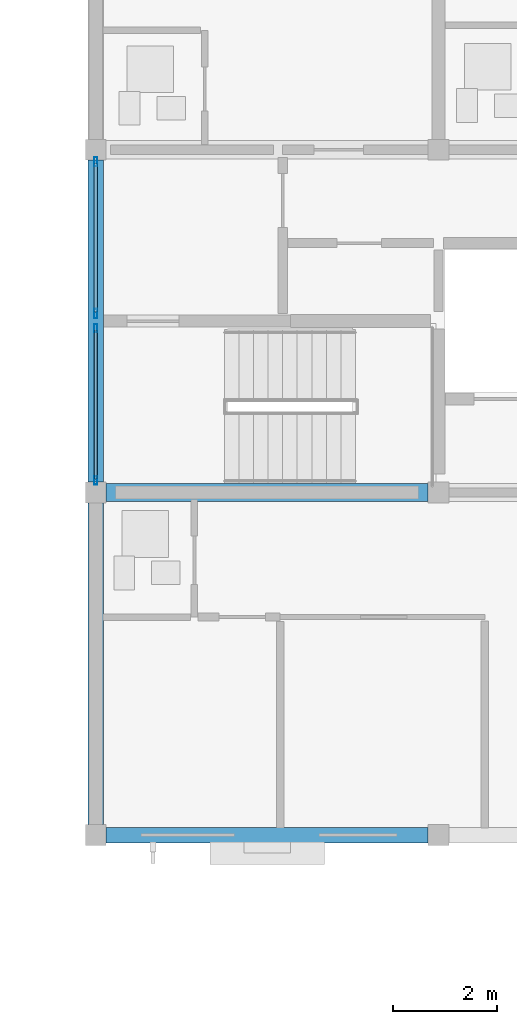
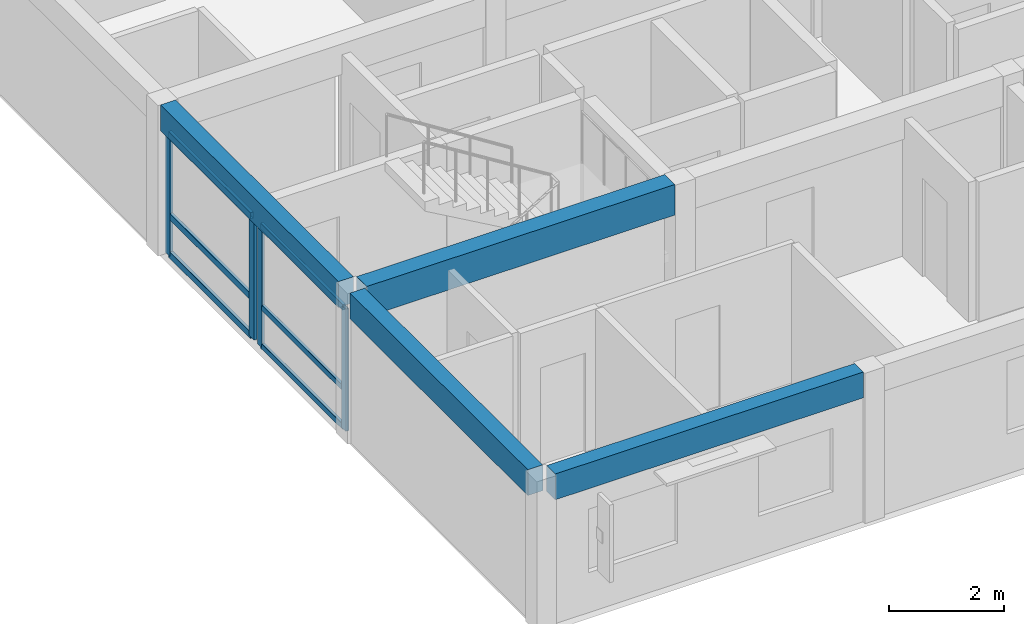
# One storey, part 12 of 37: 10 members, 4 beams, 2 elements without a shape of their own.
"""IFC4 building model written with IfcOpenShell, lengths in metres."""

import ifcopenshell
import ifcopenshell.guid

model = None  # the IFC model being written
_history = None  # IfcOwnerHistory: only IFC2X3 demands one
_inside = {}  # id of a spatial element -> (the spatial element, [elements in it])
_under = {}  # id of a project, library or spatial element -> (it, [spatial elements below it])
_declared = {}  # id of a project -> (the project, [libraries it declares])
_typed = {}  # id of a type object -> (the type object, [elements of that type])
_made_of = {}  # id of a material, layer set ... -> (it, [elements and type objects made of it])


def new_model(schema):
    """Start an empty IFC model of exactly this schema.

    Asked for "IFC4X3", IfcOpenShell would pick the latest addendum, in which some entities
    have other attributes; the version numbers below select the first issue.
    IFC2X3 requires an IfcOwnerHistory on every rooted entity: one is made here for all.
    """
    global model, _history
    if schema == "IFC4X3":
        model = ifcopenshell.file(schema_version=(4, 3, 0, 0))
    else:
        model = ifcopenshell.file(schema=schema)
    _inside.clear()
    _under.clear()
    _declared.clear()
    _typed.clear()
    _made_of.clear()
    _history = None
    if model.schema == "IFC2X3":
        org = make("IfcOrganization", Name="unknown")
        user = make(
            "IfcPersonAndOrganization",
            ThePerson=make("IfcPerson", FamilyName="unknown"),
            TheOrganization=org,
        )
        app = make(
            "IfcApplication",
            ApplicationDeveloper=org,
            Version="unknown",
            ApplicationFullName="unknown",
            ApplicationIdentifier="unknown",
        )
        _history = make(
            "IfcOwnerHistory",
            OwningUser=user,
            OwningApplication=app,
            ChangeAction="ADDED",
            CreationDate=0,
        )
    return model


def make(cls, **values):
    """One entity of the class cls with the attributes given. An attribute that is None is left unset."""
    return model.create_entity(
        cls, **{name: value for name, value in values.items() if value is not None}
    )


def rooted(cls, **values):
    """An entity with a GlobalId (a new one), such as an element, a storey or a relation."""
    return make(cls, GlobalId=ifcopenshell.guid.new(), OwnerHistory=_history, **values)


def si_unit(unit_type, name, prefix=None):
    """IfcSIUnit, for example si_unit("LENGTHUNIT", "METRE", prefix="MILLI")."""
    return make("IfcSIUnit", UnitType=unit_type, Prefix=prefix, Name=name)


def assignment(units):
    """IfcUnitAssignment: the units of a project."""
    return None if units is None else make("IfcUnitAssignment", Units=units)


def point(xyz):
    """IfcCartesianPoint."""
    return None if xyz is None else make("IfcCartesianPoint", Coordinates=xyz)


def direction(xyz):
    """IfcDirection."""
    return None if xyz is None else make("IfcDirection", DirectionRatios=xyz)


def frame(location, z_axis=None, x_axis=None):
    """IfcAxis2Placement3D, a coordinate frame: its origin and axes. An axis left out is left unset."""
    return make(
        "IfcAxis2Placement3D",
        Location=point(location),
        Axis=direction(z_axis),
        RefDirection=direction(x_axis),
    )


def frame_2d(location, x_axis=None):
    """IfcAxis2Placement2D, a coordinate frame in the plane: its origin and x axis."""
    return make(
        "IfcAxis2Placement2D", Location=point(location), RefDirection=direction(x_axis)
    )


def origin():
    """The frame at (0, 0, 0) with its axes left unset."""
    return frame((0.0, 0.0, 0.0))


def origin_2d():
    """The frame at (0, 0) in the plane with its x axis left unset."""
    return frame_2d((0.0, 0.0))


def place(relative_to, where):
    """IfcLocalPlacement: puts the frame where relative to a parent placement (None: the world)."""
    return make(
        "IfcLocalPlacement", PlacementRelTo=relative_to, RelativePlacement=where
    )


def context(
    kind, dimensions, precision=None, world=None, true_north=None, identifier=None
):
    """IfcGeometricRepresentationContext, for example the 3D "Model" context."""
    return make(
        "IfcGeometricRepresentationContext",
        ContextIdentifier=identifier,
        ContextType=kind,
        CoordinateSpaceDimension=dimensions,
        Precision=precision,
        WorldCoordinateSystem=world,
        TrueNorth=true_north,
    )


def subcontext(parent, identifier, kind, view, scale=None):
    """IfcGeometricRepresentationSubContext, for example "Body" below "Model"."""
    return make(
        "IfcGeometricRepresentationSubContext",
        ContextIdentifier=identifier,
        ContextType=kind,
        ParentContext=parent,
        TargetScale=scale,
        TargetView=view,
    )


def project(units=None, contexts=None):
    """IfcProject with its units and contexts."""
    return rooted(
        "IfcProject",
        Name="project",
        RepresentationContexts=contexts,
        UnitsInContext=assignment(units),
    )


def spatial(cls, under=None, at=None, **own):
    """A site, building, storey or space (cls), placed at a placement, below another one or the project."""
    s = rooted(cls, ObjectPlacement=at, **own)
    if under is not None:
        _under.setdefault(under.id(), (under, []))[1].append(s)
    return s


def profile(cls, at=None, kind="AREA", **sizes):
    """A parametric profile (cls). Its sizes go by their IFC names, for example OverallWidth=200.0."""
    return make(cls, ProfileType=kind, Position=at, **sizes)


def rectangle(**sizes):
    """IfcRectangleProfileDef."""
    return profile("IfcRectangleProfileDef", **sizes)


def hollow_rectangle(**sizes):
    """IfcRectangleHollowProfileDef."""
    return profile("IfcRectangleHollowProfileDef", **sizes)


def extrude(swept, where, along, depth):
    """IfcExtrudedAreaSolid: the profile swept, set in the frame where, extruded along a direction by depth."""
    return make(
        "IfcExtrudedAreaSolid",
        SweptArea=swept,
        Position=where,
        ExtrudedDirection=direction(along),
        Depth=depth,
    )


def shape(context_of_items, identifier, shape_type, items):
    """IfcShapeRepresentation: the items that make up one representation, for example the "Body"."""
    return make(
        "IfcShapeRepresentation",
        ContextOfItems=context_of_items,
        RepresentationIdentifier=identifier,
        RepresentationType=shape_type,
        Items=items,
    )


def material(Name=None, Category=None):
    """IfcMaterial."""
    return make("IfcMaterial", Name=Name, Category=Category)


def material_profile(
    of_material, cross_section, Name=None, Category=None, Priority=None
):
    """IfcMaterialProfile: a cross section and its material."""
    return make(
        "IfcMaterialProfile",
        Name=Name,
        Material=of_material,
        Profile=cross_section,
        Priority=Priority,
        Category=Category,
    )


def profile_set(profiles, Name=None, composite=None):
    """IfcMaterialProfileSet."""
    return make(
        "IfcMaterialProfileSet",
        Name=Name,
        MaterialProfiles=profiles,
        CompositeProfile=composite,
    )


def made_of(thing, what):
    """Note that an element or type object is made of a material, layer set ...; save() writes the relation."""
    if what is not None:
        _made_of.setdefault(what.id(), (what, []))[1].append(thing)
    return thing


def type_object(cls, material=None, **own):
    """A type object (cls), such as IfcWallType, which elements share."""
    return made_of(rooted(cls, **own), material)


def element(
    cls,
    number,
    at=None,
    inside=None,
    cuts=None,
    type_object=None,
    material=None,
    context=None,
    identifier="Body",
    shape_type=None,
    held_by="IfcProductDefinitionShape",
    body=None,
    shapes=None,
    **own,
):
    """One element of the class cls, such as IfcWall. Its Tag is "e" and its number.

    at: its placement. inside: the storey or other place that contains it. cuts: it is an
    opening in that element (IfcRelVoidsElement). A single representation is given by context,
    identifier, shape_type and body (its items); several are given by shapes. held_by: the class
    of the entity that holds the representations. save() writes the other relations.
    """
    e = rooted(cls, Tag="e%d" % number, ObjectPlacement=at, **own)
    if body is not None:
        shapes = [shape(context, identifier, shape_type, body)]
    if shapes is not None:
        e.Representation = make(held_by, Representations=shapes)
    if inside is not None:
        _inside.setdefault(inside.id(), (inside, []))[1].append(e)
    if cuts is not None:
        rooted(
            "IfcRelVoidsElement", RelatingBuildingElement=cuts, RelatedOpeningElement=e
        )
    if type_object is not None:
        _typed.setdefault(type_object.id(), (type_object, []))[1].append(e)
    return made_of(e, material)


def aggregate(whole, parts):
    """IfcRelAggregates: a whole, such as a stair, and the parts it consists of."""
    return rooted("IfcRelAggregates", RelatingObject=whole, RelatedObjects=parts)


def save(model, path):
    """Write the relations noted so far, then the file.

    IfcRelAggregates (storeys below a building ...), IfcRelContainedInSpatialStructure (elements
    in a storey), IfcRelDefinesByType, IfcRelAssociatesMaterial and IfcRelDeclares: one each for
    every whole, place, type object, material and project.
    """
    for whole, parts in _under.values():
        aggregate(whole, parts)
    for where, things in _inside.values():
        rooted(
            "IfcRelContainedInSpatialStructure",
            RelatedElements=things,
            RelatingStructure=where,
        )
    for kind, things in _typed.values():
        rooted("IfcRelDefinesByType", RelatedObjects=things, RelatingType=kind)
    for what, things in _made_of.values():
        rooted("IfcRelAssociatesMaterial", RelatedObjects=things, RelatingMaterial=what)
    for by, libraries in _declared.values():
        rooted("IfcRelDeclares", RelatingContext=by, RelatedDefinitions=libraries)
    model.write(path)


model = new_model("IFC4")

# Units and contexts
model_context = context("Model", 3, precision=1e-05, world=origin(), true_north=direction((0.0, 1.0)))
body_context = subcontext(model_context, "Body", "Model", "MODEL_VIEW")
ifc_project = project(units=[si_unit("LENGTHUNIT", "METRE"), si_unit("AREAUNIT", "SQUARE_METRE"), si_unit("VOLUMEUNIT", "CUBIC_METRE"), si_unit("PLANEANGLEUNIT", "RADIAN"), si_unit("MASSUNIT", "GRAM", prefix="KILO")], contexts=[model_context])

# Site, building, storey
site_placement = place(None, origin())
site = spatial("IfcSite", under=ifc_project, at=site_placement, CompositionType="ELEMENT")
building_placement = place(site_placement, origin())
building = spatial("IfcBuilding", under=site, at=building_placement, Name="Kernevlak Ridge Housing Community", CompositionType="ELEMENT")
storey_placement = place(building_placement, frame((0.0, 0.0, 37.199951171875)))
storey = spatial("IfcBuildingStorey", under=building, at=storey_placement, Name="L11", CompositionType="ELEMENT", Elevation=37.199951171875)

# Beam
ifc_material_1 = material(Name="Concrete C35/45", Category="concrete")
ifc_material_profile_1 = material_profile(ifc_material_1, rectangle(XDim=0.35009765625, YDim=0.64990234375, at=origin_2d()), Name="RC 350x650")
ifc_profile_set_1 = profile_set([ifc_material_profile_1], Name="Concrete C35/45")
beam_type_1 = type_object("IfcBeamType", Name="B-02", PredefinedType="BEAM", material=ifc_profile_set_1)
beam_1_placement = place(storey_placement, frame((119.60009765625, 89.199951171875, 2.875), z_axis=(1.0, 0.0, 0.0), x_axis=(0.0, 1.0, 0.0)))
element("IfcBeam", 1, at=beam_1_placement, inside=storey, type_object=beam_type_1, Name="Beam B-02 L11 868", PredefinedType="BEAM", context=body_context, shape_type="SweptSolid", body=[
    extrude(rectangle(XDim=0.35009765625, YDim=0.64990234375, at=origin_2d()), origin(), (0.0, 0.0, 1.0), 6.199951171875),
])

# Curtain wall, members
ifc_material_2 = material(Name="Aluminium EN AW-6060 anodised and laminated glass", Category="aluminium")
curtain_wall_type_1 = type_object("IfcCurtainWallType", Name="CW-04", PredefinedType="NOTDEFINED", material=ifc_material_2)
curtain_wall_1_placement = place(storey_placement, origin())
curtain_wall_1 = element("IfcCurtainWall", 2, at=curtain_wall_1_placement, inside=storey, type_object=curtain_wall_type_1, Name="Curtain wall CW-04 CW-L11-088", PredefinedType="NOTDEFINED")
ifc_material_3 = material(Name="Aluminium EN AW-6060 anodised", Category="aluminium")
ifc_material_profile_2 = material_profile(ifc_material_3, hollow_rectangle(XDim=0.06005859375, YDim=0.159912109375, WallThickness=0.00390625, InnerFilletRadius=0.001953125, OuterFilletRadius=0.00390625, at=origin_2d()), Name="ALU 60x160x4")
ifc_profile_set_2 = profile_set([ifc_material_profile_2], Name="Aluminium EN AW-6060 anodised")
member_type_1 = type_object("IfcMemberType", Name="MU-02", PredefinedType="MULLION", material=ifc_profile_set_2)
member_1_placement = place(storey_placement, frame((119.39990234375, 89.429931640625, 0.0), z_axis=(0.0, 0.0, 1.0), x_axis=(-1.0, 0.0, 0.0)))
member_1 = element("IfcMember", 3, at=member_1_placement, type_object=member_type_1, Name="CW-04 mullion 1", PredefinedType="MULLION", context=body_context, shape_type="SweptSolid", body=[
    extrude(hollow_rectangle(XDim=0.06005859375, YDim=0.159912109375, WallThickness=0.00390625, InnerFilletRadius=0.001953125, OuterFilletRadius=0.00390625, at=origin_2d()), origin(), (0.0, 0.0, 1.0), 2.60009765625),
])
member_2_placement = place(storey_placement, frame((119.39990234375, 92.360107421875, 0.0), z_axis=(0.0, 0.0, 1.0), x_axis=(-1.0, 0.0, 0.0)))
member_2 = element("IfcMember", 4, at=member_2_placement, type_object=member_type_1, Name="CW-04 mullion 2", PredefinedType="MULLION", context=body_context, shape_type="SweptSolid", body=[
    extrude(hollow_rectangle(XDim=0.06005859375, YDim=0.159912109375, WallThickness=0.00390625, InnerFilletRadius=0.001953125, OuterFilletRadius=0.00390625, at=origin_2d()), origin(), (0.0, 0.0, 1.0), 2.60009765625),
])

curtain_wall_type_2 = type_object("IfcCurtainWallType", Name="CW-09", PredefinedType="NOTDEFINED", material=ifc_material_2)
curtain_wall_2_placement = place(storey_placement, origin())
curtain_wall_2 = element("IfcCurtainWall", 5, at=curtain_wall_2_placement, inside=storey, type_object=curtain_wall_type_2, Name="Curtain wall CW-09 CW-L11-089", PredefinedType="NOTDEFINED")
ifc_material_profile_3 = material_profile(ifc_material_3, hollow_rectangle(XDim=0.06494140625, YDim=0.179931640625, WallThickness=0.00439453125, InnerFilletRadius=0.001953125, OuterFilletRadius=0.00439453125, at=origin_2d()), Name="ALU 65x180x4.5")
ifc_profile_set_3 = profile_set([ifc_material_profile_3], Name="Aluminium EN AW-6060 anodised")
member_type_2 = type_object("IfcMemberType", Name="MU-03", PredefinedType="MULLION", material=ifc_profile_set_3)
member_3_placement = place(storey_placement, frame((119.39990234375, 92.642578125, 0.0), z_axis=(0.0, 0.0, 1.0), x_axis=(-1.0, 0.0, 0.0)))
member_3 = element("IfcMember", 6, at=member_3_placement, type_object=member_type_2, Name="CW-09 mullion 1", PredefinedType="MULLION", context=body_context, shape_type="SweptSolid", body=[
    extrude(hollow_rectangle(XDim=0.06494140625, YDim=0.179931640625, WallThickness=0.00439453125, InnerFilletRadius=0.001953125, OuterFilletRadius=0.00439453125, at=origin_2d()), origin(), (0.0, 0.0, 1.0), 2.60009765625),
])
member_4_placement = place(storey_placement, frame((119.39990234375, 95.5673828125, 0.0), z_axis=(0.0, 0.0, 1.0), x_axis=(-1.0, 0.0, 0.0)))
member_4 = element("IfcMember", 7, at=member_4_placement, type_object=member_type_2, Name="CW-09 mullion 2", PredefinedType="MULLION", context=body_context, shape_type="SweptSolid", body=[
    extrude(hollow_rectangle(XDim=0.06494140625, YDim=0.179931640625, WallThickness=0.00439453125, InnerFilletRadius=0.001953125, OuterFilletRadius=0.00439453125, at=origin_2d()), origin(), (0.0, 0.0, 1.0), 2.60009765625),
])

# Beams
ifc_material_profile_4 = material_profile(ifc_material_1, rectangle(XDim=0.300048828125, YDim=0.550048828125, at=origin_2d()), Name="RC 300x550")
ifc_profile_set_4 = profile_set([ifc_material_profile_4], Name="Concrete C35/45")
beam_type_2 = type_object("IfcBeamType", Name="SP-01", PredefinedType="SPANDREL", material=ifc_profile_set_4)
for number, where, z_axis, x_axis, name in (
    (8, (119.60009765625, 82.60009765625, 2.925048828125), (1.0, 0.0, 0.0), (0.0, 1.0, 0.0), "Beam SP-01 L11 863"),
    (9, (119.39990234375, 82.800048828125, 2.925048828125), (0.0, 1.0, 0.0), (-1.0, 0.0, 0.0), "Beam SP-01 L11 883"),
):
    element("IfcBeam", number, at=place(storey_placement, frame(where, z_axis=z_axis, x_axis=x_axis)), inside=storey, type_object=beam_type_2, Name=name, PredefinedType="SPANDREL", context=body_context, shape_type="SweptSolid", body=[
        extrude(rectangle(XDim=0.300048828125, YDim=0.550048828125, at=origin_2d()), origin(), (0.0, 0.0, 1.0), 6.199951171875),
    ])
beam_2_placement = place(storey_placement, frame((119.39990234375, 89.39990234375, 2.925048828125), z_axis=(0.0, 1.0, 0.0), x_axis=(-1.0, 0.0, 0.0)))
element("IfcBeam", 10, at=beam_2_placement, inside=storey, type_object=beam_type_2, Name="Beam SP-01 L11 884", PredefinedType="SPANDREL", context=body_context, shape_type="SweptSolid", body=[
    extrude(rectangle(XDim=0.300048828125, YDim=0.550048828125, at=origin_2d()), origin(), (0.0, 0.0, 1.0), 6.2001953125),
])

# Member
ifc_material_profile_5 = material_profile(ifc_material_3, hollow_rectangle(XDim=0.06005859375, YDim=0.1201171875, WallThickness=0.00390625, InnerFilletRadius=0.001953125, OuterFilletRadius=0.00390625, at=origin_2d()), Name="ALU 60x120x4")
ifc_profile_set_5 = profile_set([ifc_material_profile_5], Name="Aluminium EN AW-6060 anodised")
member_type_3 = type_object("IfcMemberType", Name="TM-02", PredefinedType="USERDEFINED", material=ifc_profile_set_5)
member_5_placement = place(storey_placement, frame((119.39990234375, 89.4599609375, 0.030029296875), z_axis=(0.0, 1.0, 0.0), x_axis=(-1.0, 0.0, 0.0)))
member_5 = element("IfcMember", 11, at=member_5_placement, type_object=member_type_3, Name="CW-04 transom 1.1", ObjectType="TRANSOM", PredefinedType="USERDEFINED", context=body_context, shape_type="SweptSolid", body=[
    extrude(hollow_rectangle(XDim=0.06005859375, YDim=0.1201171875, WallThickness=0.00390625, InnerFilletRadius=0.001953125, OuterFilletRadius=0.00390625, at=origin_2d()), origin(), (0.0, 0.0, 1.0), 2.8701171875),
])

member_6_placement = place(storey_placement, frame((119.39990234375, 89.4599609375, 0.85009765625), z_axis=(0.0, 1.0, 0.0), x_axis=(-1.0, 0.0, 0.0)))
member_6 = element("IfcMember", 12, at=member_6_placement, type_object=member_type_3, Name="CW-04 transom 1.2", ObjectType="TRANSOM", PredefinedType="USERDEFINED", context=body_context, shape_type="SweptSolid", body=[
    extrude(hollow_rectangle(XDim=0.06005859375, YDim=0.1201171875, WallThickness=0.00390625, InnerFilletRadius=0.001953125, OuterFilletRadius=0.00390625, at=origin_2d()), origin(), (0.0, 0.0, 1.0), 2.8701171875),
])

member_7_placement = place(storey_placement, frame((119.39990234375, 89.4599609375, 2.570068359375), z_axis=(0.0, 1.0, 0.0), x_axis=(-1.0, 0.0, 0.0)))
member_7 = element("IfcMember", 13, at=member_7_placement, type_object=member_type_3, Name="CW-04 transom 1.3", ObjectType="TRANSOM", PredefinedType="USERDEFINED", context=body_context, shape_type="SweptSolid", body=[
    extrude(hollow_rectangle(XDim=0.06005859375, YDim=0.1201171875, WallThickness=0.00390625, InnerFilletRadius=0.001953125, OuterFilletRadius=0.00390625, at=origin_2d()), origin(), (0.0, 0.0, 1.0), 2.8701171875),
])

aggregate(curtain_wall_1, [member_1, member_2, member_5, member_6, member_7])

ifc_material_profile_6 = material_profile(ifc_material_3, hollow_rectangle(XDim=0.06494140625, YDim=0.139892578125, WallThickness=0.00390625, InnerFilletRadius=0.001953125, OuterFilletRadius=0.00390625, at=origin_2d()), Name="ALU 65x140x4")
ifc_profile_set_6 = profile_set([ifc_material_profile_6], Name="Aluminium EN AW-6060 anodised")
member_type_4 = type_object("IfcMemberType", Name="TM-03", PredefinedType="USERDEFINED", material=ifc_profile_set_6)
member_8_placement = place(storey_placement, frame((119.39990234375, 92.675048828125, 0.032470703125), z_axis=(0.0, 1.0, 0.0), x_axis=(-1.0, 0.0, 0.0)))
member_8 = element("IfcMember", 14, at=member_8_placement, type_object=member_type_4, Name="CW-09 transom 1.1", ObjectType="TRANSOM", PredefinedType="USERDEFINED", context=body_context, shape_type="SweptSolid", body=[
    extrude(hollow_rectangle(XDim=0.06494140625, YDim=0.139892578125, WallThickness=0.00390625, InnerFilletRadius=0.001953125, OuterFilletRadius=0.00390625, at=origin_2d()), origin(), (0.0, 0.0, 1.0), 2.85986328125),
])

member_9_placement = place(storey_placement, frame((119.39990234375, 92.675048828125, 0.85009765625), z_axis=(0.0, 1.0, 0.0), x_axis=(-1.0, 0.0, 0.0)))
member_9 = element("IfcMember", 15, at=member_9_placement, type_object=member_type_4, Name="CW-09 transom 1.2", ObjectType="TRANSOM", PredefinedType="USERDEFINED", context=body_context, shape_type="SweptSolid", body=[
    extrude(hollow_rectangle(XDim=0.06494140625, YDim=0.139892578125, WallThickness=0.00390625, InnerFilletRadius=0.001953125, OuterFilletRadius=0.00390625, at=origin_2d()), origin(), (0.0, 0.0, 1.0), 2.85986328125),
])

member_10_placement = place(storey_placement, frame((119.39990234375, 92.675048828125, 2.567626953125), z_axis=(0.0, 1.0, 0.0), x_axis=(-1.0, 0.0, 0.0)))
member_10 = element("IfcMember", 16, at=member_10_placement, type_object=member_type_4, Name="CW-09 transom 1.3", ObjectType="TRANSOM", PredefinedType="USERDEFINED", context=body_context, shape_type="SweptSolid", body=[
    extrude(hollow_rectangle(XDim=0.06494140625, YDim=0.139892578125, WallThickness=0.00390625, InnerFilletRadius=0.001953125, OuterFilletRadius=0.00390625, at=origin_2d()), origin(), (0.0, 0.0, 1.0), 2.85986328125),
])

aggregate(curtain_wall_2, [member_3, member_4, member_8, member_9, member_10])

save(model, "model.ifc")
